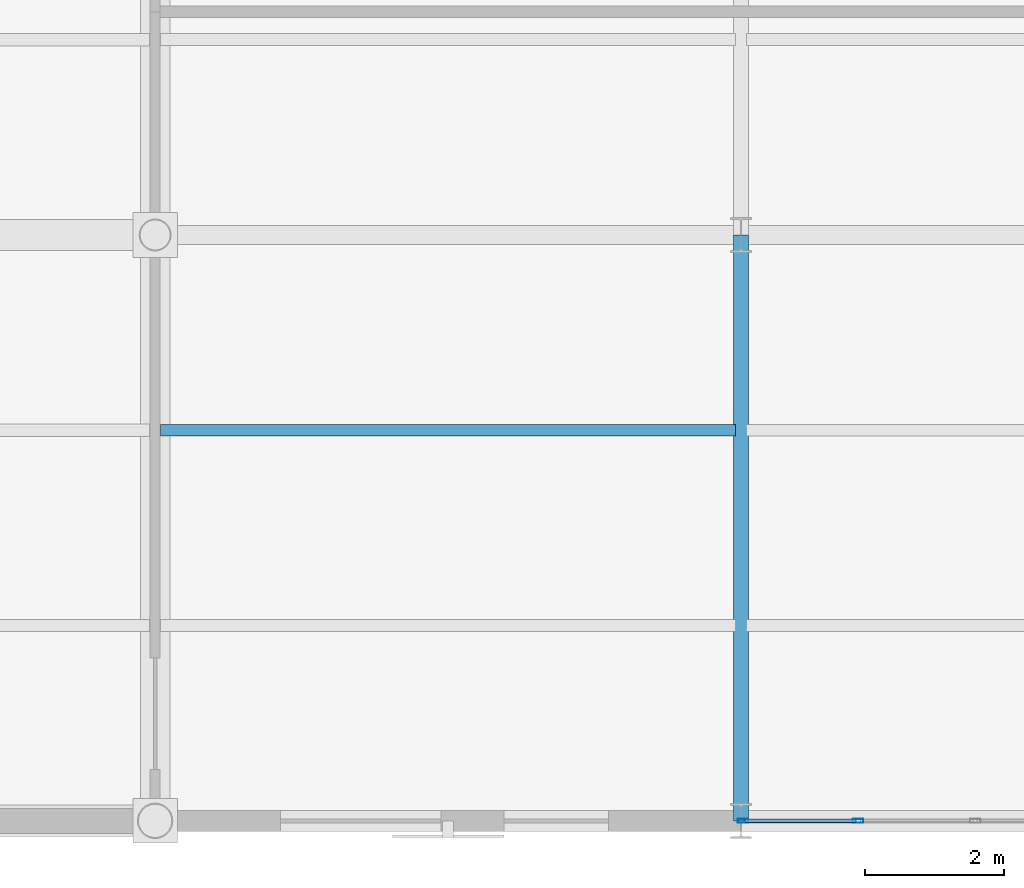
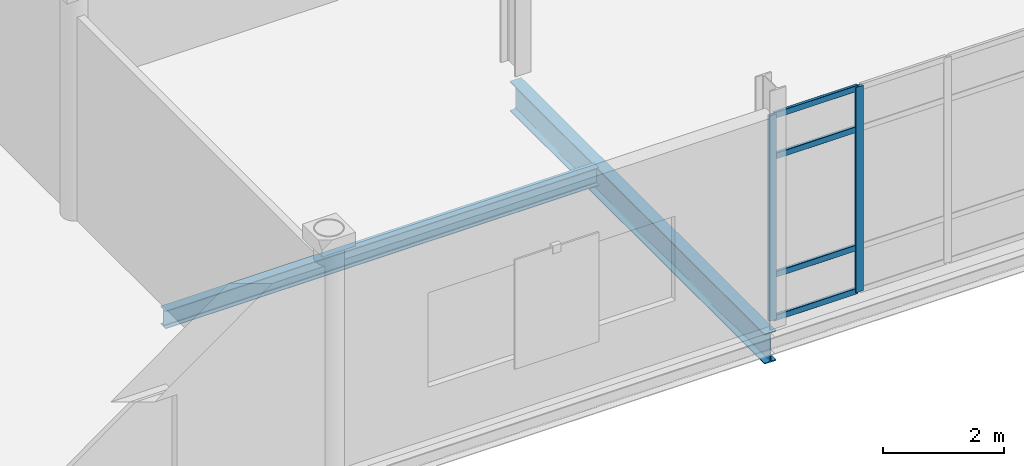
# One storey, part 50 of 145: 6 members, 2 beams, 1 element without a shape of its own.
"""IFC4 building model written with IfcOpenShell, lengths in metres."""

import ifcopenshell
import ifcopenshell.guid

model = None  # the IFC model being written
_history = None  # IfcOwnerHistory: only IFC2X3 demands one
_inside = {}  # id of a spatial element -> (the spatial element, [elements in it])
_under = {}  # id of a project, library or spatial element -> (it, [spatial elements below it])
_declared = {}  # id of a project -> (the project, [libraries it declares])
_typed = {}  # id of a type object -> (the type object, [elements of that type])
_made_of = {}  # id of a material, layer set ... -> (it, [elements and type objects made of it])


def new_model(schema):
    """Start an empty IFC model of exactly this schema.

    Asked for "IFC4X3", IfcOpenShell would pick the latest addendum, in which some entities
    have other attributes; the version numbers below select the first issue.
    IFC2X3 requires an IfcOwnerHistory on every rooted entity: one is made here for all.
    """
    global model, _history
    if schema == "IFC4X3":
        model = ifcopenshell.file(schema_version=(4, 3, 0, 0))
    else:
        model = ifcopenshell.file(schema=schema)
    _inside.clear()
    _under.clear()
    _declared.clear()
    _typed.clear()
    _made_of.clear()
    _history = None
    if model.schema == "IFC2X3":
        org = make("IfcOrganization", Name="unknown")
        user = make(
            "IfcPersonAndOrganization",
            ThePerson=make("IfcPerson", FamilyName="unknown"),
            TheOrganization=org,
        )
        app = make(
            "IfcApplication",
            ApplicationDeveloper=org,
            Version="unknown",
            ApplicationFullName="unknown",
            ApplicationIdentifier="unknown",
        )
        _history = make(
            "IfcOwnerHistory",
            OwningUser=user,
            OwningApplication=app,
            ChangeAction="ADDED",
            CreationDate=0,
        )
    return model


def make(cls, **values):
    """One entity of the class cls with the attributes given. An attribute that is None is left unset."""
    return model.create_entity(
        cls, **{name: value for name, value in values.items() if value is not None}
    )


def rooted(cls, **values):
    """An entity with a GlobalId (a new one), such as an element, a storey or a relation."""
    return make(cls, GlobalId=ifcopenshell.guid.new(), OwnerHistory=_history, **values)


def si_unit(unit_type, name, prefix=None):
    """IfcSIUnit, for example si_unit("LENGTHUNIT", "METRE", prefix="MILLI")."""
    return make("IfcSIUnit", UnitType=unit_type, Prefix=prefix, Name=name)


def assignment(units):
    """IfcUnitAssignment: the units of a project."""
    return None if units is None else make("IfcUnitAssignment", Units=units)


def point(xyz):
    """IfcCartesianPoint."""
    return None if xyz is None else make("IfcCartesianPoint", Coordinates=xyz)


def direction(xyz):
    """IfcDirection."""
    return None if xyz is None else make("IfcDirection", DirectionRatios=xyz)


def frame(location, z_axis=None, x_axis=None):
    """IfcAxis2Placement3D, a coordinate frame: its origin and axes. An axis left out is left unset."""
    return make(
        "IfcAxis2Placement3D",
        Location=point(location),
        Axis=direction(z_axis),
        RefDirection=direction(x_axis),
    )


def frame_2d(location, x_axis=None):
    """IfcAxis2Placement2D, a coordinate frame in the plane: its origin and x axis."""
    return make(
        "IfcAxis2Placement2D", Location=point(location), RefDirection=direction(x_axis)
    )


def origin():
    """The frame at (0, 0, 0) with its axes left unset."""
    return frame((0.0, 0.0, 0.0))


def origin_2d():
    """The frame at (0, 0) in the plane with its x axis left unset."""
    return frame_2d((0.0, 0.0))


def place(relative_to, where):
    """IfcLocalPlacement: puts the frame where relative to a parent placement (None: the world)."""
    return make(
        "IfcLocalPlacement", PlacementRelTo=relative_to, RelativePlacement=where
    )


def context(
    kind, dimensions, precision=None, world=None, true_north=None, identifier=None
):
    """IfcGeometricRepresentationContext, for example the 3D "Model" context."""
    return make(
        "IfcGeometricRepresentationContext",
        ContextIdentifier=identifier,
        ContextType=kind,
        CoordinateSpaceDimension=dimensions,
        Precision=precision,
        WorldCoordinateSystem=world,
        TrueNorth=true_north,
    )


def subcontext(parent, identifier, kind, view, scale=None):
    """IfcGeometricRepresentationSubContext, for example "Body" below "Model"."""
    return make(
        "IfcGeometricRepresentationSubContext",
        ContextIdentifier=identifier,
        ContextType=kind,
        ParentContext=parent,
        TargetScale=scale,
        TargetView=view,
    )


def project(units=None, contexts=None):
    """IfcProject with its units and contexts."""
    return rooted(
        "IfcProject",
        Name="project",
        RepresentationContexts=contexts,
        UnitsInContext=assignment(units),
    )


def spatial(cls, under=None, at=None, **own):
    """A site, building, storey or space (cls), placed at a placement, below another one or the project."""
    s = rooted(cls, ObjectPlacement=at, **own)
    if under is not None:
        _under.setdefault(under.id(), (under, []))[1].append(s)
    return s


def profile(cls, at=None, kind="AREA", **sizes):
    """A parametric profile (cls). Its sizes go by their IFC names, for example OverallWidth=200.0."""
    return make(cls, ProfileType=kind, Position=at, **sizes)


def hollow_rectangle(**sizes):
    """IfcRectangleHollowProfileDef."""
    return profile("IfcRectangleHollowProfileDef", **sizes)


def i_section(**sizes):
    """IfcIShapeProfileDef."""
    return profile("IfcIShapeProfileDef", **sizes)


def extrude(swept, where, along, depth):
    """IfcExtrudedAreaSolid: the profile swept, set in the frame where, extruded along a direction by depth."""
    return make(
        "IfcExtrudedAreaSolid",
        SweptArea=swept,
        Position=where,
        ExtrudedDirection=direction(along),
        Depth=depth,
    )


def shape(context_of_items, identifier, shape_type, items):
    """IfcShapeRepresentation: the items that make up one representation, for example the "Body"."""
    return make(
        "IfcShapeRepresentation",
        ContextOfItems=context_of_items,
        RepresentationIdentifier=identifier,
        RepresentationType=shape_type,
        Items=items,
    )


def material(Name=None, Category=None):
    """IfcMaterial."""
    return make("IfcMaterial", Name=Name, Category=Category)


def layer(
    of_material, thickness, ventilated=None, Name=None, Category=None, Priority=None
):
    """IfcMaterialLayer: one layer of a wall or slab, of a material (None: an air gap)."""
    return make(
        "IfcMaterialLayer",
        Material=of_material,
        LayerThickness=thickness,
        IsVentilated=ventilated,
        Name=Name,
        Category=Category,
        Priority=Priority,
    )


def layer_set(layers, Name=None):
    """IfcMaterialLayerSet."""
    return make("IfcMaterialLayerSet", MaterialLayers=layers, LayerSetName=Name)


def material_profile(
    of_material, cross_section, Name=None, Category=None, Priority=None
):
    """IfcMaterialProfile: a cross section and its material."""
    return make(
        "IfcMaterialProfile",
        Name=Name,
        Material=of_material,
        Profile=cross_section,
        Priority=Priority,
        Category=Category,
    )


def profile_set(profiles, Name=None, composite=None):
    """IfcMaterialProfileSet."""
    return make(
        "IfcMaterialProfileSet",
        Name=Name,
        MaterialProfiles=profiles,
        CompositeProfile=composite,
    )


def made_of(thing, what):
    """Note that an element or type object is made of a material, layer set ...; save() writes the relation."""
    if what is not None:
        _made_of.setdefault(what.id(), (what, []))[1].append(thing)
    return thing


def type_object(cls, material=None, **own):
    """A type object (cls), such as IfcWallType, which elements share."""
    return made_of(rooted(cls, **own), material)


def element(
    cls,
    number,
    at=None,
    inside=None,
    cuts=None,
    type_object=None,
    material=None,
    context=None,
    identifier="Body",
    shape_type=None,
    held_by="IfcProductDefinitionShape",
    body=None,
    shapes=None,
    **own,
):
    """One element of the class cls, such as IfcWall. Its Tag is "e" and its number.

    at: its placement. inside: the storey or other place that contains it. cuts: it is an
    opening in that element (IfcRelVoidsElement). A single representation is given by context,
    identifier, shape_type and body (its items); several are given by shapes. held_by: the class
    of the entity that holds the representations. save() writes the other relations.
    """
    e = rooted(cls, Tag="e%d" % number, ObjectPlacement=at, **own)
    if body is not None:
        shapes = [shape(context, identifier, shape_type, body)]
    if shapes is not None:
        e.Representation = make(held_by, Representations=shapes)
    if inside is not None:
        _inside.setdefault(inside.id(), (inside, []))[1].append(e)
    if cuts is not None:
        rooted(
            "IfcRelVoidsElement", RelatingBuildingElement=cuts, RelatedOpeningElement=e
        )
    if type_object is not None:
        _typed.setdefault(type_object.id(), (type_object, []))[1].append(e)
    return made_of(e, material)


def aggregate(whole, parts):
    """IfcRelAggregates: a whole, such as a stair, and the parts it consists of."""
    return rooted("IfcRelAggregates", RelatingObject=whole, RelatedObjects=parts)


def save(model, path):
    """Write the relations noted so far, then the file.

    IfcRelAggregates (storeys below a building ...), IfcRelContainedInSpatialStructure (elements
    in a storey), IfcRelDefinesByType, IfcRelAssociatesMaterial and IfcRelDeclares: one each for
    every whole, place, type object, material and project.
    """
    for whole, parts in _under.values():
        aggregate(whole, parts)
    for where, things in _inside.values():
        rooted(
            "IfcRelContainedInSpatialStructure",
            RelatedElements=things,
            RelatingStructure=where,
        )
    for kind, things in _typed.values():
        rooted("IfcRelDefinesByType", RelatedObjects=things, RelatingType=kind)
    for what, things in _made_of.values():
        rooted("IfcRelAssociatesMaterial", RelatedObjects=things, RelatingMaterial=what)
    for by, libraries in _declared.values():
        rooted("IfcRelDeclares", RelatingContext=by, RelatedDefinitions=libraries)
    model.write(path)


model = new_model("IFC4")

# Units and contexts
model_context = context("Model", 3, precision=1e-05, world=origin(), true_north=direction((0.0, 1.0)))
body_context = subcontext(model_context, "Body", "Model", "MODEL_VIEW")
ifc_project = project(units=[si_unit("LENGTHUNIT", "METRE"), si_unit("AREAUNIT", "SQUARE_METRE"), si_unit("VOLUMEUNIT", "CUBIC_METRE"), si_unit("PLANEANGLEUNIT", "RADIAN"), si_unit("MASSUNIT", "GRAM", prefix="KILO")], contexts=[model_context])

# Site, building, storey
site_placement = place(None, origin())
site = spatial("IfcSite", under=ifc_project, at=site_placement, CompositionType="ELEMENT")
building_placement = place(site_placement, origin())
building = spatial("IfcBuilding", under=site, at=building_placement, Name="Qalvenar Corner Mobility Hub", CompositionType="ELEMENT")
storey_placement = place(building_placement, origin())
storey = spatial("IfcBuildingStorey", under=building, at=storey_placement, Name="L00", CompositionType="ELEMENT", Elevation=0.0)

# Beams
ifc_material_1 = material(Name="Steel S355", Category="steel")
ifc_material_profile_1 = material_profile(ifc_material_1, i_section(OverallWidth=0.219970703125, OverallDepth=0.60009765625, WebThickness=0.011962890625, FlangeThickness=0.01904296875, FilletRadius=0.02392578125, at=origin_2d()), Name="IPE600")
ifc_profile_set_1 = profile_set([ifc_material_profile_1], Name="Steel S355")
beam_type_1 = type_object("IfcBeamType", Name="BM-IPE600", PredefinedType="BEAM", material=ifc_profile_set_1)
beam_1_placement = place(storey_placement, frame((117.60009765625, 0.0, -0.550048828125), z_axis=(0.0, 1.0, 0.0), x_axis=(-1.0, 0.0, 0.0)))
element("IfcBeam", 1, at=beam_1_placement, inside=storey, type_object=beam_type_1, Name="Primary Steel Girder GY-0299", PredefinedType="BEAM", context=body_context, shape_type="SweptSolid", body=[
    extrude(i_section(OverallWidth=0.219970703125, OverallDepth=0.60009765625, WebThickness=0.011962890625, FlangeThickness=0.01904296875, FilletRadius=0.02392578125, at=origin_2d()), origin(), (0.0, 0.0, 1.0), 8.39990234375),
])
ifc_material_profile_2 = material_profile(ifc_material_1, i_section(OverallWidth=0.169921875, OverallDepth=0.360107421875, WebThickness=0.008056640625, FlangeThickness=0.0126953125, FilletRadius=0.01806640625, at=origin_2d()), Name="IPE360")
ifc_profile_set_2 = profile_set([ifc_material_profile_2], Name="Steel S355")
beam_type_2 = type_object("IfcBeamType", Name="BM-JST360", PredefinedType="JOIST", material=ifc_profile_set_2)
beam_2_placement = place(storey_placement, frame((109.278076171875, 5.60009765625, -0.429931640625), z_axis=(1.0, 0.0, 0.0), x_axis=(0.0, 1.0, 0.0)))
element("IfcBeam", 2, at=beam_2_placement, inside=storey, type_object=beam_type_2, Name="Composite Floor Joist J-0342", PredefinedType="JOIST", context=body_context, shape_type="SweptSolid", body=[
    extrude(i_section(OverallWidth=0.169921875, OverallDepth=0.360107421875, WebThickness=0.008056640625, FlangeThickness=0.0126953125, FilletRadius=0.01806640625, at=origin_2d()), origin(), (0.0, 0.0, 1.0), 8.243896484375),
])

# Curtain wall, members
ifc_material_2 = material(Name="Anodised Aluminium and Low-E Glazing", Category="aluminium")
ifc_layer = layer(ifc_material_2, 0.14990234375)
ifc_layer_set = layer_set([ifc_layer], Name="Anodised Aluminium and Low-E Glazing")
curtain_wall_type = type_object("IfcCurtainWallType", Name="CW-WKS-84X44", PredefinedType="NOTDEFINED", material=ifc_layer_set)
curtain_wall_placement = place(storey_placement, origin())
curtain_wall = element("IfcCurtainWall", 3, at=curtain_wall_placement, inside=storey, type_object=curtain_wall_type, Name="Glazed Curtain Wall CW-V6-L00-S1", PredefinedType="NOTDEFINED")
ifc_material_3 = material(Name="Anodised Aluminium 6063-T6", Category="aluminium")
ifc_material_profile_3 = material_profile(ifc_material_3, hollow_rectangle(XDim=0.06005859375, YDim=0.14990234375, WallThickness=0.00390625, InnerFilletRadius=0.00390625, OuterFilletRadius=0.008056640625, at=origin_2d()), Name="RHS150x60x4")
ifc_profile_set_3 = profile_set([ifc_material_profile_3], Name="Anodised Aluminium 6063-T6")
member_type_1 = type_object("IfcMemberType", Name="CW-MUL150", PredefinedType="MULLION", material=ifc_profile_set_3)
member_1_placement = place(storey_placement, frame((117.6298828125, 0.0, 0.0), z_axis=(0.0, 0.0, 1.0), x_axis=(0.0, 1.0, 0.0)))
member_1 = element("IfcMember", 4, at=member_1_placement, type_object=member_type_1, Name="CW-09 mullion 1", PredefinedType="MULLION", context=body_context, shape_type="SweptSolid", body=[
    extrude(hollow_rectangle(XDim=0.06005859375, YDim=0.14990234375, WallThickness=0.00390625, InnerFilletRadius=0.00390625, OuterFilletRadius=0.008056640625, at=origin_2d()), origin(), (0.0, 0.0, 1.0), 4.1298828125),
])
member_2_placement = place(storey_placement, frame((119.280029296875, 0.0, 0.0), z_axis=(0.0, 0.0, 1.0), x_axis=(0.0, 1.0, 0.0)))
member_2 = element("IfcMember", 5, at=member_2_placement, type_object=member_type_1, Name="CW-09 mullion 2", PredefinedType="MULLION", context=body_context, shape_type="SweptSolid", body=[
    extrude(hollow_rectangle(XDim=0.06005859375, YDim=0.14990234375, WallThickness=0.00390625, InnerFilletRadius=0.00390625, OuterFilletRadius=0.008056640625, at=origin_2d()), origin(), (0.0, 0.0, 1.0), 4.1298828125),
])
ifc_material_profile_4 = material_profile(ifc_material_3, hollow_rectangle(XDim=0.054931640625, YDim=0.1201171875, WallThickness=0.00341796875, InnerFilletRadius=0.00341796875, OuterFilletRadius=0.007080078125, at=origin_2d()), Name="RHS120x55x3.5")
ifc_profile_set_4 = profile_set([ifc_material_profile_4], Name="Anodised Aluminium 6063-T6")
member_type_2 = type_object("IfcMemberType", Name="CW-TRN120", PredefinedType="USERDEFINED", material=ifc_profile_set_4)
member_3_placement = place(storey_placement, frame((117.659912109375, 0.0, 0.027587890625), z_axis=(1.0, 0.0, 0.0), x_axis=(0.0, 1.0, 0.0)))
member_3 = element("IfcMember", 6, at=member_3_placement, type_object=member_type_2, Name="CW-09 transom 1.1", ObjectType="TRANSOM", PredefinedType="USERDEFINED", context=body_context, shape_type="SweptSolid", body=[
    extrude(hollow_rectangle(XDim=0.054931640625, YDim=0.1201171875, WallThickness=0.00341796875, InnerFilletRadius=0.00341796875, OuterFilletRadius=0.007080078125, at=origin_2d()), origin(), (0.0, 0.0, 1.0), 1.590087890625),
])
member_4_placement = place(storey_placement, frame((117.659912109375, 0.0, 0.89990234375), z_axis=(1.0, 0.0, 0.0), x_axis=(0.0, 1.0, 0.0)))
member_4 = element("IfcMember", 7, at=member_4_placement, type_object=member_type_2, Name="CW-09 transom 1.2", ObjectType="TRANSOM", PredefinedType="USERDEFINED", context=body_context, shape_type="SweptSolid", body=[
    extrude(hollow_rectangle(XDim=0.054931640625, YDim=0.1201171875, WallThickness=0.00341796875, InnerFilletRadius=0.00341796875, OuterFilletRadius=0.007080078125, at=origin_2d()), origin(), (0.0, 0.0, 1.0), 1.590087890625),
])
member_5_placement = place(storey_placement, frame((117.659912109375, 0.0, 3.280029296875), z_axis=(1.0, 0.0, 0.0), x_axis=(0.0, 1.0, 0.0)))
member_5 = element("IfcMember", 8, at=member_5_placement, type_object=member_type_2, Name="CW-09 transom 1.3", ObjectType="TRANSOM", PredefinedType="USERDEFINED", context=body_context, shape_type="SweptSolid", body=[
    extrude(hollow_rectangle(XDim=0.054931640625, YDim=0.1201171875, WallThickness=0.00341796875, InnerFilletRadius=0.00341796875, OuterFilletRadius=0.007080078125, at=origin_2d()), origin(), (0.0, 0.0, 1.0), 1.590087890625),
])
member_6_placement = place(storey_placement, frame((117.659912109375, 0.0, 4.1025390625), z_axis=(1.0, 0.0, 0.0), x_axis=(0.0, 1.0, 0.0)))
member_6 = element("IfcMember", 9, at=member_6_placement, type_object=member_type_2, Name="CW-09 transom 1.4", ObjectType="TRANSOM", PredefinedType="USERDEFINED", context=body_context, shape_type="SweptSolid", body=[
    extrude(hollow_rectangle(XDim=0.054931640625, YDim=0.1201171875, WallThickness=0.00341796875, InnerFilletRadius=0.00341796875, OuterFilletRadius=0.007080078125, at=origin_2d()), origin(), (0.0, 0.0, 1.0), 1.590087890625),
])
aggregate(curtain_wall, [member_1, member_2, member_3, member_4, member_5, member_6])

save(model, "model.ifc")
